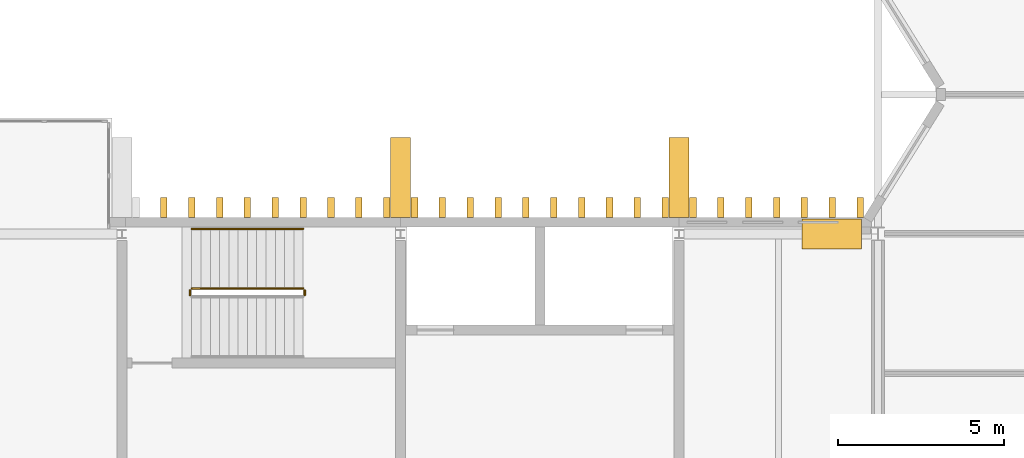
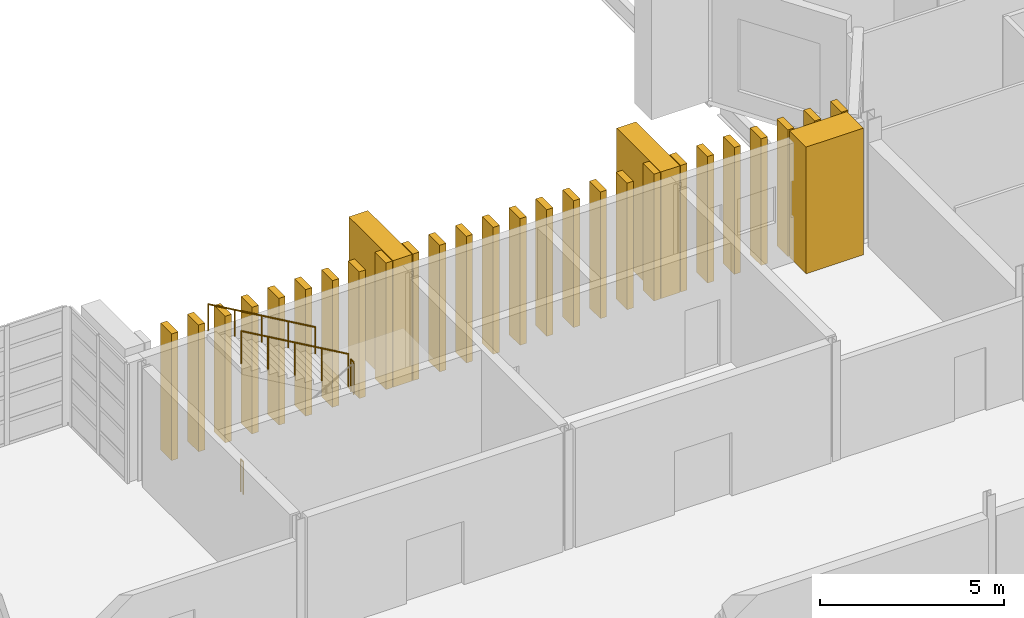
# One storey, part 86 of 88: 29 coverings, 4 railings.
"""IFC4 building model written with IfcOpenShell, lengths in metres."""

from ifc_helpers import new_model, si_unit, direction, frame, origin, origin_2d, place, context, subcontext, project, spatial, rectangle, circle, extrude, material, type_object, element, save


model = new_model("IFC4")

# Units and contexts
model_context = context("Model", 3, precision=1e-05, world=origin(), true_north=direction((0.0, 1.0)))
body_context = subcontext(model_context, "Body", "Model", "MODEL_VIEW")
ifc_project = project(units=[si_unit("LENGTHUNIT", "METRE"), si_unit("AREAUNIT", "SQUARE_METRE"), si_unit("VOLUMEUNIT", "CUBIC_METRE"), si_unit("PLANEANGLEUNIT", "RADIAN"), si_unit("MASSUNIT", "GRAM", prefix="KILO")], contexts=[model_context])

# Site, building, storey
site_placement = place(None, origin())
site = spatial("IfcSite", under=ifc_project, at=site_placement, CompositionType="ELEMENT")
building_placement = place(site_placement, origin())
building = spatial("IfcBuilding", under=site, at=building_placement, Name="Cresset Court Congress Hotel", CompositionType="ELEMENT")
storey_placement = place(building_placement, frame((0.0, 0.0, 14.39990234375)))
storey = spatial("IfcBuildingStorey", under=building, at=storey_placement, Name="L03", CompositionType="ELEMENT", Elevation=14.39990234375)

# Railings
ifc_material_1 = material(Name="Steel and laminated glass", Category="steel")
railing_type_1 = type_object("IfcRailingType", Name="Guard 1100 steel and glass", PredefinedType="GUARDRAIL", material=ifc_material_1)
railing_1_placement = place(storey_placement, frame((139.909912109375, 23.35009765625, 2.10009765625)))
element("IfcRailing", 1, at=railing_1_placement, inside=storey, type_object=railing_type_1, Name="L03 ST-B5 stair guard 2", PredefinedType="GUARDRAIL", context=body_context, shape_type="SweptSolid", body=[
    extrude(circle(Radius=0.02392578125, at=origin_2d()), frame((0.0, 0.0, 1.076171875), z_axis=(0.0, 1.0, 0.0), x_axis=(-1.0, 0.0, 0.0)), (0.0, 0.0, 1.0), 0.14990234375),
    extrude(circle(Radius=0.02099609375, at=origin_2d()), origin(), (0.0, 0.0, 1.0), 1.052001953125),
    extrude(circle(Radius=0.02099609375, at=origin_2d()), frame((0.0, 0.14990234375, 0.0)), (0.0, 0.0, 1.0), 1.052001953125),
])
railing_2_placement = place(storey_placement, frame((139.860107421875, 23.550048828125, 2.26171875)))
element("IfcRailing", 2, at=railing_2_placement, inside=storey, type_object=railing_type_1, Name="L03 ST-B5 stair guard 3", PredefinedType="GUARDRAIL", context=body_context, shape_type="SweptSolid", body=[
    extrude(circle(Radius=0.02392578125, at=origin_2d()), frame((0.0, 0.0, 1.076171875), z_axis=(-0.866190824863, 0.0, 0.499713372768), x_axis=(0.0, -1.0, 0.0)), (0.0, 0.0, 1.0), 3.879150390625),
    extrude(circle(Radius=0.02099609375, at=origin_2d()), origin(), (0.0, 0.0, 1.0), 1.052001953125),
    extrude(circle(Radius=0.02099609375, at=origin_2d()), frame((-0.840087890625, 0.0, 0.484619140625)), (0.0, 0.0, 1.0), 1.052001953125),
    extrude(circle(Radius=0.02099609375, at=origin_2d()), frame((-1.68017578125, 0.0, 0.96923828125)), (0.0, 0.0, 1.0), 1.052001953125),
    extrude(circle(Radius=0.02099609375, at=origin_2d()), frame((-2.52001953125, 0.0, 1.453857421875)), (0.0, 0.0, 1.0), 1.052001953125),
    extrude(circle(Radius=0.02099609375, at=origin_2d()), frame((-3.360107421875, 0.0, 1.9384765625)), (0.0, 0.0, 1.0), 1.052001953125),
])
railing_3_placement = place(storey_placement, frame((136.449951171875, 23.35009765625, 0.0)))
element("IfcRailing", 3, at=railing_3_placement, inside=storey, type_object=railing_type_1, Name="L03 ST-B5 stair guard 4", PredefinedType="GUARDRAIL", context=body_context, shape_type="SweptSolid", body=[
    extrude(circle(Radius=0.02392578125, at=origin_2d()), frame((0.0, 0.0, 1.076171875), z_axis=(0.0, 1.0, 0.0), x_axis=(-1.0, 0.0, 0.0)), (0.0, 0.0, 1.0), 0.14990234375),
    extrude(circle(Radius=0.02099609375, at=origin_2d()), origin(), (0.0, 0.0, 1.0), 1.052001953125),
    extrude(circle(Radius=0.02099609375, at=origin_2d()), frame((0.0, 0.14990234375, 0.0)), (0.0, 0.0, 1.0), 1.052001953125),
])
ifc_material_2 = material(Name="Stainless steel", Category="steel")
railing_type_2 = type_object("IfcRailingType", Name="Handrail 48 stainless", PredefinedType="HANDRAIL", material=ifc_material_2)
railing_4_placement = place(storey_placement, frame((139.860107421875, 25.35009765625, 2.26171875)))
element("IfcRailing", 4, at=railing_4_placement, inside=storey, type_object=railing_type_2, Name="L03 ST-B5 stair handrail 2", PredefinedType="HANDRAIL", context=body_context, shape_type="SweptSolid", body=[
    extrude(circle(Radius=0.02392578125, at=origin_2d()), frame((0.0, 0.0, 0.8759765625), z_axis=(-0.866190824863, 0.0, 0.499713372768), x_axis=(0.0, -1.0, 0.0)), (0.0, 0.0, 1.0), 3.879150390625),
    extrude(circle(Radius=0.02099609375, at=origin_2d()), origin(), (0.0, 0.0, 1.0), 0.851806640625),
    extrude(circle(Radius=0.02099609375, at=origin_2d()), frame((-0.840087890625, 0.0, 0.484619140625)), (0.0, 0.0, 1.0), 0.851806640625),
    extrude(circle(Radius=0.02099609375, at=origin_2d()), frame((-1.68017578125, 0.0, 0.96923828125)), (0.0, 0.0, 1.0), 0.851806640625),
    extrude(circle(Radius=0.02099609375, at=origin_2d()), frame((-2.52001953125, 0.0, 1.453857421875)), (0.0, 0.0, 1.0), 0.851806640625),
    extrude(circle(Radius=0.02099609375, at=origin_2d()), frame((-3.360107421875, 0.0, 1.9384765625)), (0.0, 0.0, 1.0), 0.851806640625),
])

# Coverings
ifc_material_3 = material(Name="Precast concrete C50", Category="concrete")
covering_type_1 = type_object("IfcCoveringType", Name="Precast stone fin 200x600 variant 1", PredefinedType="CLADDING", material=ifc_material_3)
for number, where, z_axis, x_axis, name in (
    (5, (135.659912109375, 26.0, 0.0), (0.0, 0.0, 1.0), (1.0, 0.0, 0.0), "Fin N03-151"),
    (6, (136.5, 26.0, 0.0), (0.0, 0.0, 1.0), (1.0, 0.0, 0.0), "Fin N03-152"),
    (7, (137.340087890625, 26.0, 0.0), (0.0, 0.0, 1.0), (1.0, 0.0, 0.0), "Fin N03-153"),
    (8, (138.179931640625, 26.0, 0.0), (0.0, 0.0, 1.0), (1.0, 0.0, 0.0), "Fin N03-154"),
    (9, (139.02001953125, 26.0, 0.0), (0.0, 0.0, 1.0), (1.0, 0.0, 0.0), "Fin N03-155"),
    (10, (139.860107421875, 26.0, 0.0), (0.0, 0.0, 1.0), (1.0, 0.0, 0.0), "Fin N03-156"),
    (11, (140.699951171875, 26.0, 0.0), (0.0, 0.0, 1.0), (1.0, 0.0, 0.0), "Fin N03-157"),
    (12, (141.5400390625, 26.0, 0.0), (0.0, 0.0, 1.0), (1.0, 0.0, 0.0), "Fin N03-158"),
    (13, (142.3798828125, 26.0, 0.0), (0.0, 0.0, 1.0), (1.0, 0.0, 0.0), "Fin N03-159"),
    (14, (143.219970703125, 26.0, 0.0), (0.0, 0.0, 1.0), (1.0, 0.0, 0.0), "Fin N03-160"),
    (15, (144.06005859375, 26.0, 0.0), (0.0, 0.0, 1.0), (1.0, 0.0, 0.0), "Fin N03-161"),
    (16, (144.89990234375, 26.0, 0.0), (0.0, 0.0, 1.0), (1.0, 0.0, 0.0), "Fin N03-162"),
    (17, (145.739990234375, 26.0, 0.0), (0.0, 0.0, 1.0), (1.0, 0.0, 0.0), "Fin N03-163"),
    (18, (146.580078125, 26.0, 0.0), (0.0, 0.0, 1.0), (1.0, 0.0, 0.0), "Fin N03-164"),
    (19, (147.419921875, 26.0, 0.0), (0.0, 0.0, 1.0), (1.0, 0.0, 0.0), "Fin N03-165"),
    (20, (148.260009765625, 26.0, 0.0), (0.0, 0.0, 1.0), (1.0, 0.0, 0.0), "Fin N03-166"),
    (21, (149.10009765625, 26.0, 0.0), (0.0, 0.0, 1.0), (1.0, 0.0, 0.0), "Fin N03-167"),
    (22, (149.93994140625, 26.0, 0.0), (0.0, 0.0, 1.0), (1.0, 0.0, 0.0), "Fin N03-168"),
    (23, (150.780029296875, 26.0, 0.0), (0.0, 0.0, 1.0), (1.0, 0.0, 0.0), "Fin N03-169"),
    (24, (151.6201171875, 26.0, 0.0), (0.0, 0.0, 1.0), (1.0, 0.0, 0.0), "Fin N03-170"),
    (25, (152.4599609375, 26.0, 0.0), (0.0, 0.0, 1.0), (1.0, 0.0, 0.0), "Fin N03-171"),
    (26, (153.300048828125, 26.0, 0.0), (0.0, 0.0, 1.0), (1.0, 0.0, 0.0), "Fin N03-172"),
    (27, (154.139892578125, 26.0, 0.0), (0.0, 0.0, 1.0), (1.0, 0.0, 0.0), "Fin N03-173"),
    (28, (154.97998046875, 26.0, 0.0), (0.0, 0.0, 1.0), (1.0, 0.0, 0.0), "Fin N03-174"),
    (29, (155.820068359375, 26.0, 0.0), (0.0, 0.0, 1.0), (1.0, 0.0, 0.0), "Fin N03-175"),
    (30, (156.659912109375, 26.0, 0.0), (0.0, 0.0, 1.0), (1.0, 0.0, 0.0), "Fin N03-176"),
):
    element("IfcCovering", number, at=place(storey_placement, frame(where, z_axis=z_axis, x_axis=x_axis)), inside=storey, type_object=covering_type_1, Name=name, PredefinedType="CLADDING", context=body_context, shape_type="SweptSolid", body=[
        extrude(rectangle(XDim=0.199951171875, YDim=0.60009765625, at=origin_2d()), origin(), (0.0, 0.0, 1.0), 4.199951171875),
    ])
ifc_material_4 = material(Name="Precast concrete C50", Category="concrete")
covering_type_2 = type_object("IfcCoveringType", Name="Precast stone pier 600x2400", PredefinedType="CLADDING", material=ifc_material_4)
for number, where, z_axis, x_axis, name in (
    (31, (142.800048828125, 26.89990234375, 0.0), (0.0, 0.0, 1.0), (1.0, 0.0, 0.0), "Pier N03-16"),
    (32, (151.199951171875, 26.89990234375, 0.0), (0.0, 0.0, 1.0), (1.0, 0.0, 0.0), "Pier N03-17"),
):
    element("IfcCovering", number, at=place(storey_placement, frame(where, z_axis=z_axis, x_axis=x_axis)), inside=storey, type_object=covering_type_2, Name=name, PredefinedType="CLADDING", context=body_context, shape_type="SweptSolid", body=[
        extrude(rectangle(XDim=0.60009765625, YDim=2.39990234375, at=origin_2d()), origin(), (0.0, 0.0, 1.0), 4.199951171875),
    ])
ifc_material_5 = material(Name="Precast concrete C50", Category="concrete")
covering_type_3 = type_object("IfcCoveringType", Name="Precast stone pier 900x1800", PredefinedType="CLADDING", material=ifc_material_5)
covering_placement = place(storey_placement, frame((155.800048828125, 25.199951171875, 0.0), z_axis=(0.0, 0.0, 1.0), x_axis=(1.0, 0.0, 0.0)))
element("IfcCovering", 33, at=covering_placement, inside=storey, type_object=covering_type_3, Name="Pier W04", PredefinedType="CLADDING", context=body_context, shape_type="SweptSolid", body=[
    extrude(rectangle(XDim=1.800048828125, YDim=0.89990234375, at=origin_2d()), origin(), (0.0, 0.0, 1.0), 4.199951171875),
])

save(model, "model.ifc")
